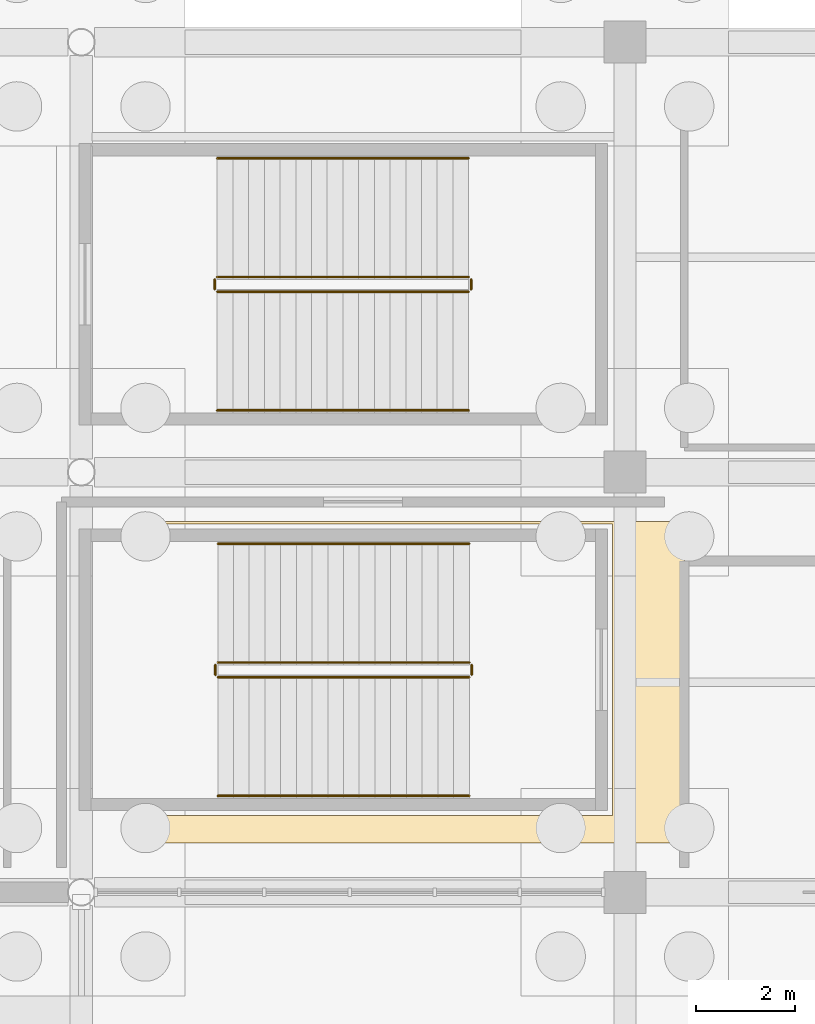
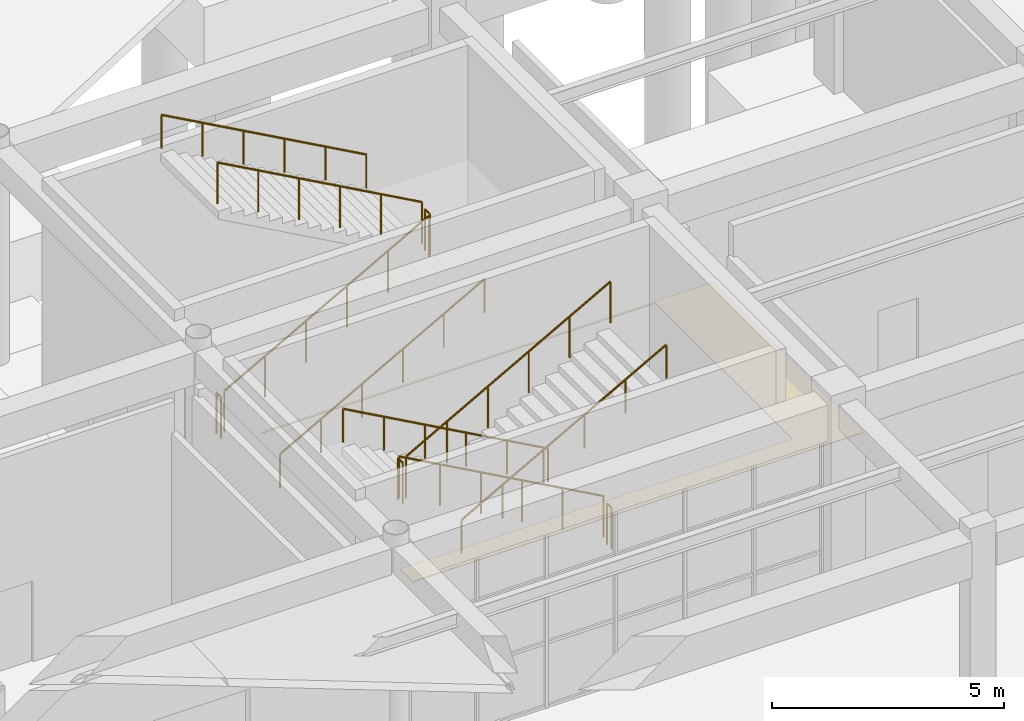
# One storey, part 105 of 121: 12 railings, 1 covering.
"""IFC4 building model written with IfcOpenShell, lengths in metres."""

from ifc_helpers import new_model, si_unit, direction, frame, origin, origin_2d, place, context, subcontext, project, spatial, polyline, circle, outline, extrude, material, layer, layer_set, type_object, element, save


model = new_model("IFC4")

# Units and contexts
model_context = context("Model", 3, precision=1e-05, world=origin(), true_north=direction((0.0, 1.0)))
body_context = subcontext(model_context, "Body", "Model", "MODEL_VIEW")
ifc_project = project(units=[si_unit("LENGTHUNIT", "METRE"), si_unit("AREAUNIT", "SQUARE_METRE"), si_unit("VOLUMEUNIT", "CUBIC_METRE"), si_unit("PLANEANGLEUNIT", "RADIAN"), si_unit("MASSUNIT", "GRAM", prefix="KILO")], contexts=[model_context])

# Site, building, storey
site_placement = place(None, origin())
site = spatial("IfcSite", under=ifc_project, at=site_placement, CompositionType="ELEMENT")
building_placement = place(site_placement, origin())
building = spatial("IfcBuilding", under=site, at=building_placement, Name="Cuetzalor Civic Arena", CompositionType="ELEMENT")
storey_placement = place(building_placement, origin())
storey = spatial("IfcBuildingStorey", under=building, at=storey_placement, Name="L00", CompositionType="ELEMENT", Elevation=0.0)

# Covering
ifc_material_1 = material(Name="Perforated acoustic mineral ceiling board", Category="gypsum")
ifc_layer = layer(ifc_material_1, 0.02490234375)
ifc_layer_set = layer_set([ifc_layer], Name="Perforated acoustic mineral ceiling board")
covering_type = type_object("IfcCoveringType", Name="AcousticMineralCeiling_25", PredefinedType="CEILING", material=ifc_layer_set)
covering_placement = place(storey_placement, frame((0.0, 0.0, 3.60009765625)))
element("IfcCovering", 1, at=covering_placement, inside=storey, type_object=covering_type, Name="Arena Cafe Acoustic Ceiling", PredefinedType="CEILING", context=body_context, shape_type="SweptSolid", body=[
    extrude(outline(polyline([(22.0, -58.0), (33.199951171875, -58.0), (33.199951171875, -64.5), (22.0, -64.5), (22.0, -63.949951171875), (31.75, -63.949951171875), (31.75, -58.050048828125), (22.0, -58.050048828125), (22.0, -58.0)])), origin(), (0.0, 0.0, 1.0), 0.02490234375),
])

# Railings
ifc_material_2 = material(Name="Reseda-green architectural Steel S355 balustrade", Category="steel")
railing_type_1 = type_object("IfcRailingType", Name="InteriorVoidBalustrade_1100", PredefinedType="BALUSTRADE", material=ifc_material_2)
railing_1_placement = place(storey_placement, frame((23.75, -53.35009765625, 0.176513671875)))
element("IfcRailing", 2, at=railing_1_placement, inside=storey, type_object=railing_type_1, Name="L00 ST-11 stair guard 1", PredefinedType="BALUSTRADE", context=body_context, shape_type="SweptSolid", body=[
    extrude(circle(Radius=0.02392578125, at=origin_2d()), frame((0.0, 0.0, 1.0810546875), z_axis=(0.874384777292, 0.0, 0.485233202945), x_axis=(0.0, 1.0, 0.0)), (0.0, 0.0, 1.0), 5.81884765625),
    extrude(circle(Radius=0.02099609375, at=origin_2d()), origin(), (0.0, 0.0, 1.0), 1.056884765625),
    extrude(circle(Radius=0.02099609375, at=origin_2d()), frame((1.017578125, 0.0, 0.564697265625)), (0.0, 0.0, 1.0), 1.056884765625),
    extrude(circle(Radius=0.02099609375, at=origin_2d()), frame((2.03515625, 0.0, 1.12939453125)), (0.0, 0.0, 1.0), 1.056884765625),
    extrude(circle(Radius=0.02099609375, at=origin_2d()), frame((3.052734375, 0.0, 1.694091796875)), (0.0, 0.0, 1.0), 1.056884765625),
    extrude(circle(Radius=0.02099609375, at=origin_2d()), frame((4.0703125, 0.0, 2.2587890625)), (0.0, 0.0, 1.0), 1.056884765625),
    extrude(circle(Radius=0.02099609375, at=origin_2d()), frame((5.087890625, 0.0, 2.823486328125)), (0.0, 0.0, 1.0), 1.056884765625),
])
railing_2_placement = place(storey_placement, frame((28.887939453125, -53.300048828125, 3.0)))
element("IfcRailing", 3, at=railing_2_placement, inside=storey, type_object=railing_type_1, Name="L00 ST-11 stair guard 2", PredefinedType="BALUSTRADE", context=body_context, shape_type="SweptSolid", body=[
    extrude(circle(Radius=0.02392578125, at=origin_2d()), frame((0.0, 0.0, 1.0810546875), z_axis=(0.0, 1.0, 0.0), x_axis=(-1.0, 0.0, 0.0)), (0.0, 0.0, 1.0), 0.199951171875),
    extrude(circle(Radius=0.02099609375, at=origin_2d()), origin(), (0.0, 0.0, 1.0), 1.056884765625),
    extrude(circle(Radius=0.02099609375, at=origin_2d()), frame((0.0, 0.199951171875, 0.0)), (0.0, 0.0, 1.0), 1.056884765625),
])
railing_3_placement = place(storey_placement, frame((28.837890625, -53.050048828125, 3.176513671875)))
element("IfcRailing", 4, at=railing_3_placement, inside=storey, type_object=railing_type_1, Name="L00 ST-11 stair guard 3", PredefinedType="BALUSTRADE", context=body_context, shape_type="SweptSolid", body=[
    extrude(circle(Radius=0.02392578125, at=origin_2d()), frame((0.0, 0.0, 1.0810546875), z_axis=(-0.874384777292, 0.0, 0.485233202945), x_axis=(0.0, -1.0, 0.0)), (0.0, 0.0, 1.0), 5.81884765625),
    extrude(circle(Radius=0.02099609375, at=origin_2d()), origin(), (0.0, 0.0, 1.0), 1.056884765625),
    extrude(circle(Radius=0.02099609375, at=origin_2d()), frame((-1.017578125, 0.0, 0.564697265625)), (0.0, 0.0, 1.0), 1.056884765625),
    extrude(circle(Radius=0.02099609375, at=origin_2d()), frame((-2.03515625, 0.0, 1.12939453125)), (0.0, 0.0, 1.0), 1.056884765625),
    extrude(circle(Radius=0.02099609375, at=origin_2d()), frame((-3.052734375, 0.0, 1.694091796875)), (0.0, 0.0, 1.0), 1.056884765625),
    extrude(circle(Radius=0.02099609375, at=origin_2d()), frame((-4.0703125, 0.0, 2.2587890625)), (0.0, 0.0, 1.0), 1.056884765625),
    extrude(circle(Radius=0.02099609375, at=origin_2d()), frame((-5.087890625, 0.0, 2.823486328125)), (0.0, 0.0, 1.0), 1.056884765625),
])
railing_4_placement = place(storey_placement, frame((23.699951171875, -53.300048828125, 0.0)))
element("IfcRailing", 5, at=railing_4_placement, inside=storey, type_object=railing_type_1, Name="L00 ST-11 stair guard 4", PredefinedType="BALUSTRADE", context=body_context, shape_type="SweptSolid", body=[
    extrude(circle(Radius=0.02392578125, at=origin_2d()), frame((0.0, 0.0, 1.0810546875), z_axis=(0.0, 1.0, 0.0), x_axis=(-1.0, 0.0, 0.0)), (0.0, 0.0, 1.0), 0.199951171875),
    extrude(circle(Radius=0.02099609375, at=origin_2d()), origin(), (0.0, 0.0, 1.0), 1.056884765625),
    extrude(circle(Radius=0.02099609375, at=origin_2d()), frame((0.0, 0.199951171875, 0.0)), (0.0, 0.0, 1.0), 1.056884765625),
])
railing_5_placement = place(storey_placement, frame((28.85009765625, -60.85009765625, 0.176513671875)))
element("IfcRailing", 6, at=railing_5_placement, inside=storey, type_object=railing_type_1, Name="L00 ST-12 stair guard 1", PredefinedType="BALUSTRADE", context=body_context, shape_type="SweptSolid", body=[
    extrude(circle(Radius=0.02392578125, at=origin_2d()), frame((0.0, 0.0, 1.0810546875), z_axis=(-0.874394655587, 0.0, 0.485215401941), x_axis=(0.0, -1.0, 0.0)), (0.0, 0.0, 1.0), 5.819091796875),
    extrude(circle(Radius=0.02099609375, at=origin_2d()), origin(), (0.0, 0.0, 1.0), 1.056884765625),
    extrude(circle(Radius=0.02099609375, at=origin_2d()), frame((-1.017578125, 0.0, 0.564697265625)), (0.0, 0.0, 1.0), 1.056884765625),
    extrude(circle(Radius=0.02099609375, at=origin_2d()), frame((-2.03515625, 0.0, 1.12939453125)), (0.0, 0.0, 1.0), 1.056884765625),
    extrude(circle(Radius=0.02099609375, at=origin_2d()), frame((-3.052978515625, 0.0, 1.694091796875)), (0.0, 0.0, 1.0), 1.056884765625),
    extrude(circle(Radius=0.02099609375, at=origin_2d()), frame((-4.070556640625, 0.0, 2.2587890625)), (0.0, 0.0, 1.0), 1.056884765625),
    extrude(circle(Radius=0.02099609375, at=origin_2d()), frame((-5.088134765625, 0.0, 2.823486328125)), (0.0, 0.0, 1.0), 1.056884765625),
])
railing_6_placement = place(storey_placement, frame((23.7119140625, -60.89990234375, 3.0)))
element("IfcRailing", 7, at=railing_6_placement, inside=storey, type_object=railing_type_1, Name="L00 ST-12 stair guard 2", PredefinedType="BALUSTRADE", context=body_context, shape_type="SweptSolid", body=[
    extrude(circle(Radius=0.02392578125, at=origin_2d()), frame((0.0, 0.0, 1.0810546875), z_axis=(0.0, -1.0, 0.0), x_axis=(1.0, 0.0, 0.0)), (0.0, 0.0, 1.0), 0.2001953125),
    extrude(circle(Radius=0.02099609375, at=origin_2d()), origin(), (0.0, 0.0, 1.0), 1.056884765625),
    extrude(circle(Radius=0.02099609375, at=origin_2d()), frame((0.0, -0.2001953125, 0.0)), (0.0, 0.0, 1.0), 1.056884765625),
])
railing_7_placement = place(storey_placement, frame((23.761962890625, -61.14990234375, 3.176513671875)))
element("IfcRailing", 8, at=railing_7_placement, inside=storey, type_object=railing_type_1, Name="L00 ST-12 stair guard 3", PredefinedType="BALUSTRADE", context=body_context, shape_type="SweptSolid", body=[
    extrude(circle(Radius=0.02392578125, at=origin_2d()), frame((0.0, 0.0, 1.0810546875), z_axis=(0.874394655587, 0.0, 0.485215401941), x_axis=(0.0, 1.0, 0.0)), (0.0, 0.0, 1.0), 5.819091796875),
    extrude(circle(Radius=0.02099609375, at=origin_2d()), origin(), (0.0, 0.0, 1.0), 1.056884765625),
    extrude(circle(Radius=0.02099609375, at=origin_2d()), frame((1.017578125, 0.0, 0.564697265625)), (0.0, 0.0, 1.0), 1.056884765625),
    extrude(circle(Radius=0.02099609375, at=origin_2d()), frame((2.03515625, 0.0, 1.12939453125)), (0.0, 0.0, 1.0), 1.056884765625),
    extrude(circle(Radius=0.02099609375, at=origin_2d()), frame((3.052978515625, 0.0, 1.694091796875)), (0.0, 0.0, 1.0), 1.056884765625),
    extrude(circle(Radius=0.02099609375, at=origin_2d()), frame((4.070556640625, 0.0, 2.2587890625)), (0.0, 0.0, 1.0), 1.056884765625),
    extrude(circle(Radius=0.02099609375, at=origin_2d()), frame((5.088134765625, 0.0, 2.823486328125)), (0.0, 0.0, 1.0), 1.056884765625),
])
railing_8_placement = place(storey_placement, frame((28.89990234375, -60.89990234375, 0.0)))
element("IfcRailing", 9, at=railing_8_placement, inside=storey, type_object=railing_type_1, Name="L00 ST-12 stair guard 4", PredefinedType="BALUSTRADE", context=body_context, shape_type="SweptSolid", body=[
    extrude(circle(Radius=0.02392578125, at=origin_2d()), frame((0.0, 0.0, 1.0810546875), z_axis=(0.0, -1.0, 0.0), x_axis=(1.0, 0.0, 0.0)), (0.0, 0.0, 1.0), 0.2001953125),
    extrude(circle(Radius=0.02099609375, at=origin_2d()), origin(), (0.0, 0.0, 1.0), 1.056884765625),
    extrude(circle(Radius=0.02099609375, at=origin_2d()), frame((0.0, -0.2001953125, 0.0)), (0.0, 0.0, 1.0), 1.056884765625),
])
ifc_material_3 = material(Name="Galvanised steel S355", Category="steel")
railing_type_2 = type_object("IfcRailingType", Name="StairPitchHandrail_900", PredefinedType="HANDRAIL", material=ifc_material_3)
railing_9_placement = place(storey_placement, frame((23.75, -55.75, 0.176513671875)))
element("IfcRailing", 10, at=railing_9_placement, inside=storey, type_object=railing_type_2, Name="L00 ST-11 stair handrail 1", PredefinedType="HANDRAIL", context=body_context, shape_type="SweptSolid", body=[
    extrude(circle(Radius=0.02392578125, at=origin_2d()), frame((0.0, 0.0, 0.8759765625), z_axis=(0.874384777292, 0.0, 0.485233202945), x_axis=(0.0, 1.0, 0.0)), (0.0, 0.0, 1.0), 5.81884765625),
    extrude(circle(Radius=0.02099609375, at=origin_2d()), origin(), (0.0, 0.0, 1.0), 0.851806640625),
    extrude(circle(Radius=0.02099609375, at=origin_2d()), frame((1.017578125, 0.0, 0.564697265625)), (0.0, 0.0, 1.0), 0.851806640625),
    extrude(circle(Radius=0.02099609375, at=origin_2d()), frame((2.03515625, 0.0, 1.12939453125)), (0.0, 0.0, 1.0), 0.851806640625),
    extrude(circle(Radius=0.02099609375, at=origin_2d()), frame((3.052734375, 0.0, 1.694091796875)), (0.0, 0.0, 1.0), 0.851806640625),
    extrude(circle(Radius=0.02099609375, at=origin_2d()), frame((4.0703125, 0.0, 2.2587890625)), (0.0, 0.0, 1.0), 0.851806640625),
    extrude(circle(Radius=0.02099609375, at=origin_2d()), frame((5.087890625, 0.0, 2.823486328125)), (0.0, 0.0, 1.0), 0.851806640625),
])
railing_10_placement = place(storey_placement, frame((28.837890625, -50.64990234375, 3.176513671875)))
element("IfcRailing", 11, at=railing_10_placement, inside=storey, type_object=railing_type_2, Name="L00 ST-11 stair handrail 2", PredefinedType="HANDRAIL", context=body_context, shape_type="SweptSolid", body=[
    extrude(circle(Radius=0.02392578125, at=origin_2d()), frame((0.0, 0.0, 0.8759765625), z_axis=(-0.874384777292, 0.0, 0.485233202945), x_axis=(0.0, -1.0, 0.0)), (0.0, 0.0, 1.0), 5.81884765625),
    extrude(circle(Radius=0.02099609375, at=origin_2d()), origin(), (0.0, 0.0, 1.0), 0.851806640625),
    extrude(circle(Radius=0.02099609375, at=origin_2d()), frame((-1.017578125, 0.0, 0.564697265625)), (0.0, 0.0, 1.0), 0.851806640625),
    extrude(circle(Radius=0.02099609375, at=origin_2d()), frame((-2.03515625, 0.0, 1.12939453125)), (0.0, 0.0, 1.0), 0.851806640625),
    extrude(circle(Radius=0.02099609375, at=origin_2d()), frame((-3.052734375, 0.0, 1.694091796875)), (0.0, 0.0, 1.0), 0.851806640625),
    extrude(circle(Radius=0.02099609375, at=origin_2d()), frame((-4.0703125, 0.0, 2.2587890625)), (0.0, 0.0, 1.0), 0.851806640625),
    extrude(circle(Radius=0.02099609375, at=origin_2d()), frame((-5.087890625, 0.0, 2.823486328125)), (0.0, 0.0, 1.0), 0.851806640625),
])
railing_11_placement = place(storey_placement, frame((28.85009765625, -58.449951171875, 0.176513671875)))
element("IfcRailing", 12, at=railing_11_placement, inside=storey, type_object=railing_type_2, Name="L00 ST-12 stair handrail 1", PredefinedType="HANDRAIL", context=body_context, shape_type="SweptSolid", body=[
    extrude(circle(Radius=0.02392578125, at=origin_2d()), frame((0.0, 0.0, 0.8759765625), z_axis=(-0.874394655587, 0.0, 0.485215401941), x_axis=(0.0, -1.0, 0.0)), (0.0, 0.0, 1.0), 5.819091796875),
    extrude(circle(Radius=0.02099609375, at=origin_2d()), origin(), (0.0, 0.0, 1.0), 0.851806640625),
    extrude(circle(Radius=0.02099609375, at=origin_2d()), frame((-1.017578125, 0.0, 0.564697265625)), (0.0, 0.0, 1.0), 0.851806640625),
    extrude(circle(Radius=0.02099609375, at=origin_2d()), frame((-2.03515625, 0.0, 1.12939453125)), (0.0, 0.0, 1.0), 0.851806640625),
    extrude(circle(Radius=0.02099609375, at=origin_2d()), frame((-3.052978515625, 0.0, 1.694091796875)), (0.0, 0.0, 1.0), 0.851806640625),
    extrude(circle(Radius=0.02099609375, at=origin_2d()), frame((-4.070556640625, 0.0, 2.2587890625)), (0.0, 0.0, 1.0), 0.851806640625),
    extrude(circle(Radius=0.02099609375, at=origin_2d()), frame((-5.088134765625, 0.0, 2.823486328125)), (0.0, 0.0, 1.0), 0.851806640625),
])
railing_12_placement = place(storey_placement, frame((23.761962890625, -63.550048828125, 3.176513671875)))
element("IfcRailing", 13, at=railing_12_placement, inside=storey, type_object=railing_type_2, Name="L00 ST-12 stair handrail 2", PredefinedType="HANDRAIL", context=body_context, shape_type="SweptSolid", body=[
    extrude(circle(Radius=0.02392578125, at=origin_2d()), frame((0.0, 0.0, 0.8759765625), z_axis=(0.874394655587, 0.0, 0.485215401941), x_axis=(0.0, 1.0, 0.0)), (0.0, 0.0, 1.0), 5.819091796875),
    extrude(circle(Radius=0.02099609375, at=origin_2d()), origin(), (0.0, 0.0, 1.0), 0.851806640625),
    extrude(circle(Radius=0.02099609375, at=origin_2d()), frame((1.017578125, 0.0, 0.564697265625)), (0.0, 0.0, 1.0), 0.851806640625),
    extrude(circle(Radius=0.02099609375, at=origin_2d()), frame((2.03515625, 0.0, 1.12939453125)), (0.0, 0.0, 1.0), 0.851806640625),
    extrude(circle(Radius=0.02099609375, at=origin_2d()), frame((3.052978515625, 0.0, 1.694091796875)), (0.0, 0.0, 1.0), 0.851806640625),
    extrude(circle(Radius=0.02099609375, at=origin_2d()), frame((4.070556640625, 0.0, 2.2587890625)), (0.0, 0.0, 1.0), 0.851806640625),
    extrude(circle(Radius=0.02099609375, at=origin_2d()), frame((5.088134765625, 0.0, 2.823486328125)), (0.0, 0.0, 1.0), 0.851806640625),
])

save(model, "model.ifc")
